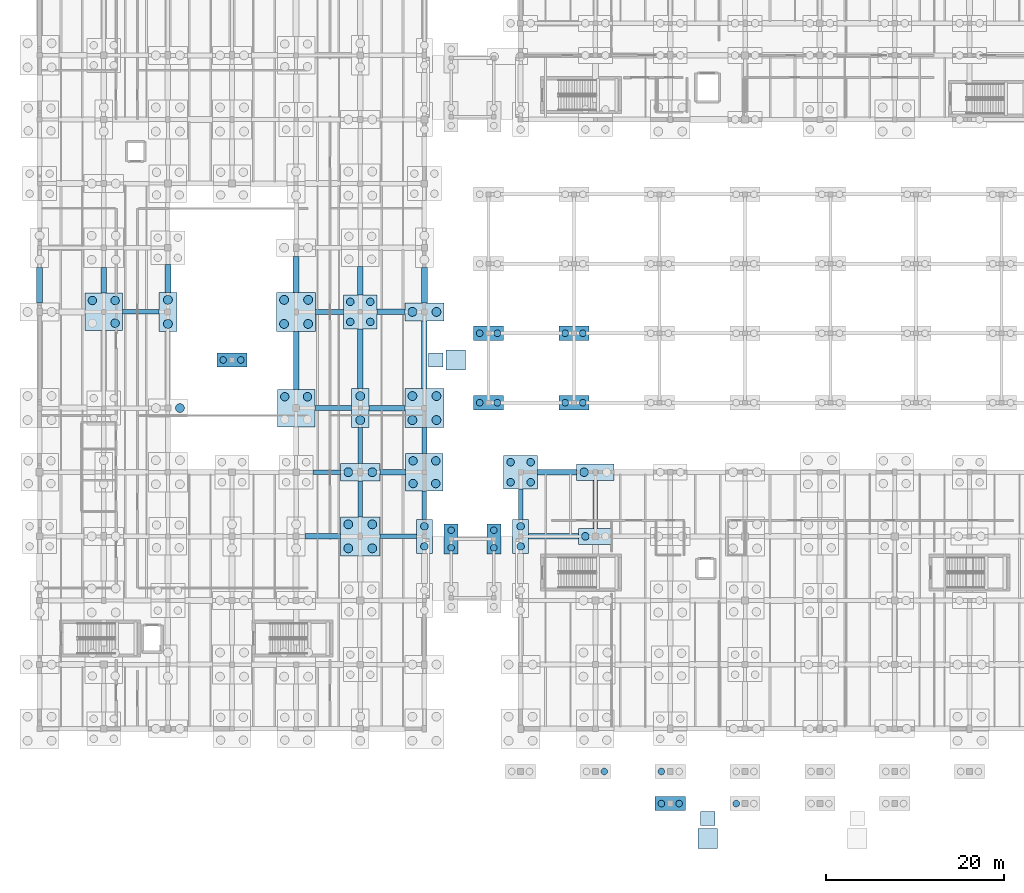
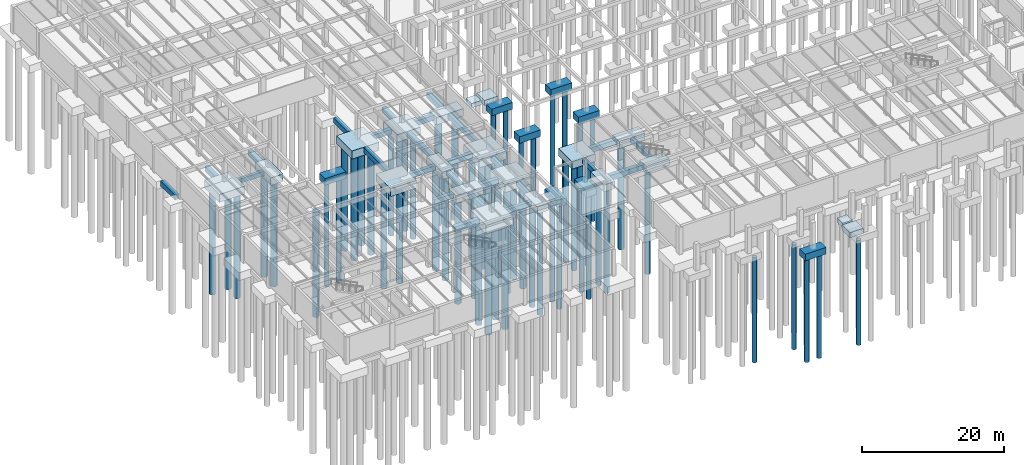
# One storey, part 3 of 63: 63 piles, 54 footings.
"""IFC4 building model written with IfcOpenShell, lengths in metres."""

from ifc_helpers import new_model, si_unit, direction, frame, origin, origin_2d, place, context, subcontext, project, spatial, rectangle, circle, extrude, material, material_profile, profile_set, type_object, element, save


model = new_model("IFC4")

# Units and contexts
model_context = context("Model", 3, precision=1e-05, world=origin(), true_north=direction((0.0, 1.0)))
body_context = subcontext(model_context, "Body", "Model", "MODEL_VIEW")
ifc_project = project(units=[si_unit("LENGTHUNIT", "METRE"), si_unit("AREAUNIT", "SQUARE_METRE"), si_unit("VOLUMEUNIT", "CUBIC_METRE"), si_unit("PLANEANGLEUNIT", "RADIAN"), si_unit("MASSUNIT", "GRAM", prefix="KILO")], contexts=[model_context])

# Site, building, storey
site_placement = place(None, origin())
site = spatial("IfcSite", under=ifc_project, at=site_placement, CompositionType="ELEMENT")
building_placement = place(site_placement, origin())
building = spatial("IfcBuilding", under=site, at=building_placement, Name="Mazaris Harbour Polytechnic", CompositionType="ELEMENT")
storey_placement = place(building_placement, frame((0.0, 0.0, -4.5)))
storey = spatial("IfcBuildingStorey", under=building, at=storey_placement, Name="B1", CompositionType="ELEMENT", Elevation=-4.5)

# Piles
ifc_material_1 = material(Name="Concrete C35/45", Category="concrete")
ifc_material_profile_1 = material_profile(ifc_material_1, circle(Radius=0.5, at=origin_2d()), Name="DIA1000")
ifc_profile_set_1 = profile_set([ifc_material_profile_1], Name="Concrete C35/45")
pile_type_1 = type_object("IfcPileType", Name="Bored Pile 1000", PredefinedType="BORED", material=ifc_profile_set_1)
for number, where, z_axis, x_axis, name in (
    (1, (15.75, 43.199951171875, -1.6201171875), (0.0, 0.0, -1.0), (1.0, 0.0, 0.0), "Bored Pile BP-183-2"),
    (2, (14.39990234375, 52.64990234375, -1.6201171875), (0.0, 0.0, -1.0), (1.0, 0.0, 0.0), "Bored Pile BP-184-1"),
    (3, (14.39990234375, 55.35009765625, -1.6201171875), (0.0, 0.0, -1.0), (1.0, 0.0, 0.0), "Bored Pile BP-184-2"),
    (4, (27.449951171875, 52.64990234375, -1.719970703125), (0.0, 0.0, -1.0), (1.0, 0.0, 0.0), "Bored Pile BP-207-1"),
    (5, (30.14990234375, 52.64990234375, -1.719970703125), (0.0, 0.0, -1.0), (1.0, 0.0, 0.0), "Bored Pile BP-207-2"),
    (6, (27.449951171875, 55.35009765625, -1.719970703125), (0.0, 0.0, -1.0), (1.0, 0.0, 0.0), "Bored Pile BP-207-3"),
    (7, (30.14990234375, 55.35009765625, -1.719970703125), (0.0, 0.0, -1.0), (1.0, 0.0, 0.0), "Bored Pile BP-207-4"),
    (8, (34.64990234375, 27.449951171875, -1.719970703125), (0.0, 0.0, -1.0), (1.0, 0.0, 0.0), "Bored Pile BP-217-1"),
    (9, (37.35009765625, 27.449951171875, -1.719970703125), (0.0, 0.0, -1.0), (1.0, 0.0, 0.0), "Bored Pile BP-217-2"),
    (10, (34.64990234375, 30.14990234375, -1.719970703125), (0.0, 0.0, -1.0), (1.0, 0.0, 0.0), "Bored Pile BP-217-3"),
    (11, (37.35009765625, 30.14990234375, -1.719970703125), (0.0, 0.0, -1.0), (1.0, 0.0, 0.0), "Bored Pile BP-217-4"),
    (12, (34.64990234375, 36.0, -1.6201171875), (0.0, 0.0, -1.0), (1.0, 0.0, 0.0), "Bored Pile BP-218-1"),
    (13, (37.35009765625, 36.0, -1.6201171875), (0.0, 0.0, -1.0), (1.0, 0.0, 0.0), "Bored Pile BP-218-2"),
    (14, (36.0, 41.85009765625, -1.6201171875), (0.0, 0.0, -1.0), (1.0, 0.0, 0.0), "Bored Pile BP-219-1"),
    (15, (36.0, 44.550048828125, -1.6201171875), (0.0, 0.0, -1.0), (1.0, 0.0, 0.0), "Bored Pile BP-219-2"),
    (16, (41.85009765625, 41.85009765625, -1.719970703125), (0.0, 0.0, -1.0), (1.0, 0.0, 0.0), "Bored Pile BP-232-1"),
    (17, (44.550048828125, 41.85009765625, -1.719970703125), (0.0, 0.0, -1.0), (1.0, 0.0, 0.0), "Bored Pile BP-232-2"),
    (18, (41.85009765625, 44.550048828125, -1.719970703125), (0.0, 0.0, -1.0), (1.0, 0.0, 0.0), "Bored Pile BP-232-3"),
    (19, (44.550048828125, 44.550048828125, -1.719970703125), (0.0, 0.0, -1.0), (1.0, 0.0, 0.0), "Bored Pile BP-232-4"),
    (20, (41.85009765625, 54.0, -1.6201171875), (0.0, 0.0, -1.0), (1.0, 0.0, 0.0), "Bored Pile BP-233-1"),
    (21, (44.550048828125, 54.0, -1.6201171875), (0.0, 0.0, -1.0), (1.0, 0.0, 0.0), "Bored Pile BP-233-2"),
):
    element("IfcPile", number, at=place(storey_placement, frame(where, z_axis=z_axis, x_axis=x_axis)), inside=storey, type_object=pile_type_1, Name=name, PredefinedType="BORED", context=body_context, shape_type="SweptSolid", body=[
        extrude(circle(Radius=0.5, at=origin_2d()), origin(), (0.0, 0.0, 1.0), 18.0),
    ])
ifc_material_2 = material(Name="Concrete C35/45", Category="concrete")
ifc_material_profile_2 = material_profile(ifc_material_2, circle(Radius=0.375, at=origin_2d()), Name="DIA750")
ifc_profile_set_2 = profile_set([ifc_material_profile_2], Name="Concrete C35/45")
pile_type_2 = type_object("IfcPileType", Name="Bored Pile 750", PredefinedType="BORED", material=ifc_profile_set_2)
for number, where, z_axis, x_axis, name in (
    (22, (46.199951171875, 27.506103515625, -1.429931640625), (0.0, 0.0, -1.0), (1.0, 0.0, 0.0), "Bored Pile BP-315-1"),
    (23, (46.199951171875, 29.493896484375, -1.429931640625), (0.0, 0.0, -1.0), (1.0, 0.0, 0.0), "Bored Pile BP-315-2"),
    (24, (51.0, 27.506103515625, -1.429931640625), (0.0, 0.0, -1.0), (1.0, 0.0, 0.0), "Bored Pile BP-317-1"),
    (25, (51.0, 29.493896484375, -1.429931640625), (0.0, 0.0, -1.0), (1.0, 0.0, 0.0), "Bored Pile BP-317-2"),
    (26, (63.393798828125, 2.39990234375, -1.429931640625), (0.0, 0.0, -1.0), (1.0, 0.0, 0.0), "Bored Pile BP-329-2"),
    (27, (69.80615234375, 2.39990234375, -1.429931640625), (0.0, 0.0, -1.0), (1.0, 0.0, 0.0), "Bored Pile BP-330-1"),
    (28, (69.80615234375, -1.199951171875, -1.429931640625), (0.0, 0.0, -1.0), (1.0, 0.0, 0.0), "Bored Pile BP-336-1"),
    (29, (71.793701171875, -1.199951171875, -1.429931640625), (0.0, 0.0, -1.0), (1.0, 0.0, 0.0), "Bored Pile BP-336-2"),
    (30, (78.206298828125, -1.199951171875, -1.429931640625), (0.0, 0.0, -1.0), (1.0, 0.0, 0.0), "Bored Pile BP-337-1"),
    (31, (49.40625, 43.800048828125, -1.429931640625), (0.0, 0.0, -1.0), (1.0, 0.0, 0.0), "Bored Pile BP-340-1"),
    (32, (51.393798828125, 43.800048828125, -1.429931640625), (0.0, 0.0, -1.0), (1.0, 0.0, 0.0), "Bored Pile BP-340-2"),
    (33, (49.40625, 51.60009765625, -1.429931640625), (0.0, 0.0, -1.0), (1.0, 0.0, 0.0), "Bored Pile BP-341-1"),
    (34, (51.393798828125, 51.60009765625, -1.429931640625), (0.0, 0.0, -1.0), (1.0, 0.0, 0.0), "Bored Pile BP-341-2"),
    (35, (59.006103515625, 43.800048828125, -1.429931640625), (0.0, 0.0, -1.0), (1.0, 0.0, 0.0), "Bored Pile BP-344-1"),
    (36, (60.993896484375, 43.800048828125, -1.429931640625), (0.0, 0.0, -1.0), (1.0, 0.0, 0.0), "Bored Pile BP-344-2"),
    (37, (59.006103515625, 51.60009765625, -1.429931640625), (0.0, 0.0, -1.0), (1.0, 0.0, 0.0), "Bored Pile BP-345-1"),
    (38, (60.993896484375, 51.60009765625, -1.429931640625), (0.0, 0.0, -1.0), (1.0, 0.0, 0.0), "Bored Pile BP-345-2"),
    (39, (20.606201171875, 48.60009765625, -1.429931640625), (0.0, 0.0, -1.0), (1.0, 0.0, 0.0), "Bored Pile BP-372-1"),
    (40, (22.59375, 48.60009765625, -1.429931640625), (0.0, 0.0, -1.0), (1.0, 0.0, 0.0), "Bored Pile BP-372-2"),
):
    element("IfcPile", number, at=place(storey_placement, frame(where, z_axis=z_axis, x_axis=x_axis)), inside=storey, type_object=pile_type_2, Name=name, PredefinedType="BORED", context=body_context, shape_type="SweptSolid", body=[
        extrude(circle(Radius=0.375, at=origin_2d()), origin(), (0.0, 0.0, 1.0), 18.0),
    ])
ifc_material_3 = material(Name="Concrete C35/45", Category="concrete")
ifc_material_profile_3 = material_profile(ifc_material_3, circle(Radius=0.425048828125, at=origin_2d()), Name="DIA850")
ifc_profile_set_3 = profile_set([ifc_material_profile_3], Name="Concrete C35/45")
pile_type_3 = type_object("IfcPileType", Name="Bored Pile 850", PredefinedType="BORED", material=ifc_profile_set_3)
for number, where, z_axis, x_axis, name in (
    (41, (54.0, 27.673828125, -1.52001953125), (0.0, 0.0, -1.0), (1.0, 0.0, 0.0), "Bored Pile BP-115-1"),
    (42, (54.0, 29.92626953125, -1.52001953125), (0.0, 0.0, -1.0), (1.0, 0.0, 0.0), "Bored Pile BP-115-2"),
    (43, (52.873779296875, 34.873779296875, -1.6201171875), (0.0, 0.0, -1.0), (1.0, 0.0, 0.0), "Bored Pile BP-116-1"),
    (44, (55.126220703125, 34.873779296875, -1.6201171875), (0.0, 0.0, -1.0), (1.0, 0.0, 0.0), "Bored Pile BP-116-2"),
    (45, (52.873779296875, 37.126220703125, -1.6201171875), (0.0, 0.0, -1.0), (1.0, 0.0, 0.0), "Bored Pile BP-116-3"),
    (46, (55.126220703125, 37.126220703125, -1.6201171875), (0.0, 0.0, -1.0), (1.0, 0.0, 0.0), "Bored Pile BP-116-4"),
    (47, (61.273681640625, 28.800048828125, -1.52001953125), (0.0, 0.0, -1.0), (1.0, 0.0, 0.0), "Bored Pile BP-120-1"),
    (48, (34.873779296875, 52.873779296875, -1.6201171875), (0.0, 0.0, -1.0), (1.0, 0.0, 0.0), "Bored Pile BP-220-1"),
    (49, (37.126220703125, 52.873779296875, -1.6201171875), (0.0, 0.0, -1.0), (1.0, 0.0, 0.0), "Bored Pile BP-220-2"),
    (50, (34.873779296875, 55.126220703125, -1.6201171875), (0.0, 0.0, -1.0), (1.0, 0.0, 0.0), "Bored Pile BP-220-3"),
    (51, (37.126220703125, 55.126220703125, -1.6201171875), (0.0, 0.0, -1.0), (1.0, 0.0, 0.0), "Bored Pile BP-220-4"),
    (52, (43.199951171875, 27.673828125, -1.52001953125), (0.0, 0.0, -1.0), (1.0, 0.0, 0.0), "Bored Pile BP-230-1"),
    (53, (43.199951171875, 29.92626953125, -1.52001953125), (0.0, 0.0, -1.0), (1.0, 0.0, 0.0), "Bored Pile BP-230-2"),
):
    element("IfcPile", number, at=place(storey_placement, frame(where, z_axis=z_axis, x_axis=x_axis)), inside=storey, type_object=pile_type_3, Name=name, PredefinedType="BORED", context=body_context, shape_type="SweptSolid", body=[
        extrude(circle(Radius=0.425048828125, at=origin_2d()), origin(), (0.0, 0.0, 1.0), 18.0),
    ])
ifc_material_4 = material(Name="Concrete C35/45", Category="concrete")
ifc_material_profile_4 = material_profile(ifc_material_4, circle(Radius=0.47509765625, at=origin_2d()), Name="DIA950")
ifc_profile_set_4 = profile_set([ifc_material_profile_4], Name="Concrete C35/45")
pile_type_4 = type_object("IfcPileType", Name="Bored Pile 950", PredefinedType="BORED", material=ifc_profile_set_4)
for number, where, z_axis, x_axis, name in (
    (54, (61.125, 36.0, -1.570068359375), (0.0, 0.0, -1.0), (1.0, 0.0, 0.0), "Bored Pile BP-121-1"),
    (55, (8.47509765625, 52.72509765625, -1.669921875), (0.0, 0.0, -1.0), (1.0, 0.0, 0.0), "Bored Pile BP-171-2"),
    (56, (5.925048828125, 55.27490234375, -1.669921875), (0.0, 0.0, -1.0), (1.0, 0.0, 0.0), "Bored Pile BP-171-3"),
    (57, (8.47509765625, 55.27490234375, -1.669921875), (0.0, 0.0, -1.0), (1.0, 0.0, 0.0), "Bored Pile BP-171-4"),
    (58, (27.52490234375, 44.47509765625, -1.669921875), (0.0, 0.0, -1.0), (1.0, 0.0, 0.0), "Bored Pile BP-206-3"),
    (59, (30.074951171875, 44.47509765625, -1.669921875), (0.0, 0.0, -1.0), (1.0, 0.0, 0.0), "Bored Pile BP-206-4"),
    (60, (41.925048828125, 34.72509765625, -1.669921875), (0.0, 0.0, -1.0), (1.0, 0.0, 0.0), "Bored Pile BP-231-1"),
    (61, (44.47509765625, 34.72509765625, -1.669921875), (0.0, 0.0, -1.0), (1.0, 0.0, 0.0), "Bored Pile BP-231-2"),
    (62, (41.925048828125, 37.27490234375, -1.669921875), (0.0, 0.0, -1.0), (1.0, 0.0, 0.0), "Bored Pile BP-231-3"),
    (63, (44.47509765625, 37.27490234375, -1.669921875), (0.0, 0.0, -1.0), (1.0, 0.0, 0.0), "Bored Pile BP-231-4"),
):
    element("IfcPile", number, at=place(storey_placement, frame(where, z_axis=z_axis, x_axis=x_axis)), inside=storey, type_object=pile_type_4, Name=name, PredefinedType="BORED", context=body_context, shape_type="SweptSolid", body=[
        extrude(circle(Radius=0.47509765625, at=origin_2d()), origin(), (0.0, 0.0, 1.0), 18.0),
    ])

# Footings
ifc_material_5 = material(Name="Concrete C35/45", Category="concrete")
footing_type_1 = type_object("IfcFootingType", Name="Pad Footing 1600x1600x750", PredefinedType="PAD_FOOTING", material=ifc_material_5)
for number, where, z_axis, x_axis, name in (
    (64, (75.0, -2.8701171875, 3.405029296875), (0.0, 0.0, 1.0), (1.0, 0.0, 0.0), "RAMP-01 Top Landing Footing"),
    (65, (44.469970703125, 48.60009765625, 3.405029296875), (0.0, 0.0, 1.0), (1.0, 0.0, 0.0), "RAMP-03 Top Landing Footing"),
):
    element("IfcFooting", number, at=place(storey_placement, frame(where, z_axis=z_axis, x_axis=x_axis)), inside=storey, type_object=footing_type_1, Name=name, PredefinedType="PAD_FOOTING", context=body_context, shape_type="SweptSolid", body=[
        extrude(rectangle(XDim=1.60009765625, YDim=1.60009765625, at=origin_2d()), origin(), (0.0, 0.0, 1.0), 0.75),
    ])
ifc_material_6 = material(Name="Concrete C35/45", Category="concrete")
footing_type_2 = type_object("IfcFootingType", Name="Pad Footing 2200x2200x900", PredefinedType="PAD_FOOTING", material=ifc_material_6)
for number, where, z_axis, x_axis, name in (
    (66, (75.0, -5.1201171875, 3.300048828125), (0.0, 0.0, 1.0), (1.0, 0.0, 0.0), "RAMP-01 Bottom Landing Footing"),
    (67, (46.719970703125, 48.60009765625, 3.300048828125), (0.0, 0.0, 1.0), (1.0, 0.0, 0.0), "RAMP-03 Bottom Landing Footing"),
):
    element("IfcFooting", number, at=place(storey_placement, frame(where, z_axis=z_axis, x_axis=x_axis)), inside=storey, type_object=footing_type_2, Name=name, PredefinedType="PAD_FOOTING", context=body_context, shape_type="SweptSolid", body=[
        extrude(rectangle(XDim=2.199951171875, YDim=2.199951171875, at=origin_2d()), origin(), (0.0, 0.0, 1.0), 0.89990234375),
    ])
ifc_material_7 = material(Name="Concrete C35/45", Category="concrete")
footing_type_3 = type_object("IfcFootingType", Name="Pile Cap 1600x3400x1150", PredefinedType="PILE_CAP", material=ifc_material_7)
for number, where, z_axis, x_axis, name in (
    (68, (46.199951171875, 28.5, -1.530029296875), (0.0, 0.0, 1.0), (1.0, 0.0, 0.0), "Pile Cap CAP-315"),
    (69, (51.0, 28.5, -1.530029296875), (0.0, 0.0, 1.0), (1.0, 0.0, 0.0), "Pile Cap CAP-317"),
):
    element("IfcFooting", number, at=place(storey_placement, frame(where, z_axis=z_axis, x_axis=x_axis)), inside=storey, type_object=footing_type_3, Name=name, PredefinedType="PILE_CAP", context=body_context, shape_type="SweptSolid", body=[
        extrude(rectangle(XDim=1.60009765625, YDim=3.39990234375, at=origin_2d()), origin(), (0.0, 0.0, 1.0), 1.14990234375),
    ])
ifc_material_8 = material(Name="Concrete C35/45", Category="concrete")
footing_type_4 = type_object("IfcFootingType", Name="Pile Cap 1800x3800x1200", PredefinedType="PILE_CAP", material=ifc_material_8)
for number, where, z_axis, x_axis, name in (
    (70, (54.0, 28.800048828125, -1.6201171875), (0.0, 0.0, 1.0), (1.0, 0.0, 0.0), "Pile Cap CAP-115"),
    (71, (43.199951171875, 28.800048828125, -1.6201171875), (0.0, 0.0, 1.0), (1.0, 0.0, 0.0), "Pile Cap CAP-230"),
):
    element("IfcFooting", number, at=place(storey_placement, frame(where, z_axis=z_axis, x_axis=x_axis)), inside=storey, type_object=footing_type_4, Name=name, PredefinedType="PILE_CAP", context=body_context, shape_type="SweptSolid", body=[
        extrude(rectangle(XDim=1.800048828125, YDim=3.800048828125, at=origin_2d()), origin(), (0.0, 0.0, 1.0), 1.199951171875),
    ])
ifc_material_9 = material(Name="Concrete C35/45", Category="concrete")
footing_type_5 = type_object("IfcFootingType", Name="Pile Cap 2000x4400x1300", PredefinedType="PILE_CAP", material=ifc_material_9)
for number, where, z_axis, x_axis, name in (
    (72, (14.39990234375, 54.0, -1.72021484375), (0.0, 0.0, 1.0), (1.0, 0.0, 0.0), "Pile Cap CAP-184"),
    (73, (36.0, 43.199951171875, -1.72021484375), (0.0, 0.0, 1.0), (1.0, 0.0, 0.0), "Pile Cap CAP-219"),
):
    element("IfcFooting", number, at=place(storey_placement, frame(where, z_axis=z_axis, x_axis=x_axis)), inside=storey, type_object=footing_type_5, Name=name, PredefinedType="PILE_CAP", context=body_context, shape_type="SweptSolid", body=[
        extrude(rectangle(XDim=2.0, YDim=4.39990234375, at=origin_2d()), origin(), (0.0, 0.0, 1.0), 1.300048828125),
    ])
ifc_material_10 = material(Name="Concrete C35/45", Category="concrete")
footing_type_6 = type_object("IfcFootingType", Name="Pile Cap 3400x1600x1150", PredefinedType="PILE_CAP", material=ifc_material_10)
for number, where, z_axis, x_axis, name in (
    (74, (70.800048828125, -1.199951171875, -1.530029296875), (0.0, 0.0, 1.0), (1.0, 0.0, 0.0), "Pile Cap CAP-336"),
    (75, (50.39990234375, 43.800048828125, -1.530029296875), (0.0, 0.0, 1.0), (1.0, 0.0, 0.0), "Pile Cap CAP-340"),
    (76, (50.39990234375, 51.60009765625, -1.530029296875), (0.0, 0.0, 1.0), (1.0, 0.0, 0.0), "Pile Cap CAP-341"),
    (77, (60.0, 43.800048828125, -1.530029296875), (0.0, 0.0, 1.0), (1.0, 0.0, 0.0), "Pile Cap CAP-344"),
    (78, (60.0, 51.60009765625, -1.530029296875), (0.0, 0.0, 1.0), (1.0, 0.0, 0.0), "Pile Cap CAP-345"),
    (79, (21.60009765625, 48.60009765625, -1.530029296875), (0.0, 0.0, 1.0), (1.0, 0.0, 0.0), "Pile Cap CAP-372"),
):
    element("IfcFooting", number, at=place(storey_placement, frame(where, z_axis=z_axis, x_axis=x_axis)), inside=storey, type_object=footing_type_6, Name=name, PredefinedType="PILE_CAP", context=body_context, shape_type="SweptSolid", body=[
        extrude(rectangle(XDim=3.39990234375, YDim=1.60009765625, at=origin_2d()), origin(), (0.0, 0.0, 1.0), 1.14990234375),
    ])
ifc_material_11 = material(Name="Concrete C35/45", Category="concrete")
footing_type_7 = type_object("IfcFootingType", Name="Pile Cap 3800x1800x1200", PredefinedType="PILE_CAP", material=ifc_material_11)
footing_1_placement = place(storey_placement, frame((62.39990234375, 28.800048828125, -1.6201171875), z_axis=(0.0, 0.0, 1.0), x_axis=(1.0, 0.0, 0.0)))
element("IfcFooting", 80, at=footing_1_placement, inside=storey, type_object=footing_type_7, Name="Pile Cap CAP-120", PredefinedType="PILE_CAP", context=body_context, shape_type="SweptSolid", body=[
    extrude(rectangle(XDim=3.800048828125, YDim=1.800048828125, at=origin_2d()), origin(), (0.0, 0.0, 1.0), 1.199951171875),
])
ifc_material_12 = material(Name="Concrete C35/45", Category="concrete")
footing_type_8 = type_object("IfcFootingType", Name="Pile Cap 3800x3800x1300", PredefinedType="PILE_CAP", material=ifc_material_12)
for number, where, z_axis, x_axis, name in (
    (81, (54.0, 36.0, -1.72021484375), (0.0, 0.0, 1.0), (1.0, 0.0, 0.0), "Pile Cap CAP-116"),
    (82, (36.0, 54.0, -1.72021484375), (0.0, 0.0, 1.0), (1.0, 0.0, 0.0), "Pile Cap CAP-220"),
):
    element("IfcFooting", number, at=place(storey_placement, frame(where, z_axis=z_axis, x_axis=x_axis)), inside=storey, type_object=footing_type_8, Name=name, PredefinedType="PILE_CAP", context=body_context, shape_type="SweptSolid", body=[
        extrude(rectangle(XDim=3.800048828125, YDim=3.800048828125, at=origin_2d()), origin(), (0.0, 0.0, 1.0), 1.300048828125),
    ])
ifc_material_13 = material(Name="Concrete C35/45", Category="concrete")
footing_type_9 = type_object("IfcFootingType", Name="Pile Cap 4200x1900x1250", PredefinedType="PILE_CAP", material=ifc_material_13)
footing_2_placement = place(storey_placement, frame((62.39990234375, 36.0, -1.669921875), z_axis=(0.0, 0.0, 1.0), x_axis=(1.0, 0.0, 0.0)))
element("IfcFooting", 83, at=footing_2_placement, inside=storey, type_object=footing_type_9, Name="Pile Cap CAP-121", PredefinedType="PILE_CAP", context=body_context, shape_type="SweptSolid", body=[
    extrude(rectangle(XDim=4.199951171875, YDim=1.89990234375, at=origin_2d()), origin(), (0.0, 0.0, 1.0), 1.25),
])
ifc_material_14 = material(Name="Concrete C35/45", Category="concrete")
footing_type_10 = type_object("IfcFootingType", Name="Pile Cap 4200x4200x1350", PredefinedType="PILE_CAP", material=ifc_material_14)
for number, where, z_axis, x_axis, name in (
    (84, (7.199951171875, 54.0, -1.77001953125), (0.0, 0.0, 1.0), (1.0, 0.0, 0.0), "Pile Cap CAP-171"),
    (85, (28.800048828125, 43.199951171875, -1.77001953125), (0.0, 0.0, 1.0), (1.0, 0.0, 0.0), "Pile Cap CAP-206"),
    (86, (43.199951171875, 36.0, -1.77001953125), (0.0, 0.0, 1.0), (1.0, 0.0, 0.0), "Pile Cap CAP-231"),
):
    element("IfcFooting", number, at=place(storey_placement, frame(where, z_axis=z_axis, x_axis=x_axis)), inside=storey, type_object=footing_type_10, Name=name, PredefinedType="PILE_CAP", context=body_context, shape_type="SweptSolid", body=[
        extrude(rectangle(XDim=4.199951171875, YDim=4.199951171875, at=origin_2d()), origin(), (0.0, 0.0, 1.0), 1.35009765625),
    ])
ifc_material_15 = material(Name="Concrete C35/45", Category="concrete")
footing_type_11 = type_object("IfcFootingType", Name="Pile Cap 4400x2000x1300", PredefinedType="PILE_CAP", material=ifc_material_15)
for number, where, z_axis, x_axis, name in (
    (87, (36.0, 36.0, -1.72021484375), (0.0, 0.0, 1.0), (1.0, 0.0, 0.0), "Pile Cap CAP-218"),
    (88, (43.199951171875, 54.0, -1.72021484375), (0.0, 0.0, 1.0), (1.0, 0.0, 0.0), "Pile Cap CAP-233"),
):
    element("IfcFooting", number, at=place(storey_placement, frame(where, z_axis=z_axis, x_axis=x_axis)), inside=storey, type_object=footing_type_11, Name=name, PredefinedType="PILE_CAP", context=body_context, shape_type="SweptSolid", body=[
        extrude(rectangle(XDim=4.39990234375, YDim=2.0, at=origin_2d()), origin(), (0.0, 0.0, 1.0), 1.300048828125),
    ])
ifc_material_16 = material(Name="Concrete C35/45", Category="concrete")
footing_type_12 = type_object("IfcFootingType", Name="Pile Cap 4400x4400x1400", PredefinedType="PILE_CAP", material=ifc_material_16)
for number, where, z_axis, x_axis, name in (
    (89, (28.800048828125, 54.0, -1.820068359375), (0.0, 0.0, 1.0), (1.0, 0.0, 0.0), "Pile Cap CAP-207"),
    (90, (36.0, 28.800048828125, -1.820068359375), (0.0, 0.0, 1.0), (1.0, 0.0, 0.0), "Pile Cap CAP-217"),
    (91, (43.199951171875, 43.199951171875, -1.820068359375), (0.0, 0.0, 1.0), (1.0, 0.0, 0.0), "Pile Cap CAP-232"),
):
    element("IfcFooting", number, at=place(storey_placement, frame(where, z_axis=z_axis, x_axis=x_axis)), inside=storey, type_object=footing_type_12, Name=name, PredefinedType="PILE_CAP", context=body_context, shape_type="SweptSolid", body=[
        extrude(rectangle(XDim=4.39990234375, YDim=4.39990234375, at=origin_2d()), origin(), (0.0, 0.0, 1.0), 1.39990234375),
    ])
ifc_material_17 = material(Name="Concrete C35/45", Category="concrete")
ifc_material_profile_5 = material_profile(ifc_material_17, rectangle(XDim=0.5, YDim=0.75, at=origin_2d()), Name="RECT500x750")
ifc_profile_set_5 = profile_set([ifc_material_profile_5], Name="Concrete C35/45")
footing_type_13 = type_object("IfcFootingType", Name="Seismic Tie Beam 500x750", PredefinedType="FOOTING_BEAM", material=ifc_profile_set_5)
footing_3_placement = place(storey_placement, frame((54.0, 30.699951171875, -0.8349609375), z_axis=(0.0, 1.0, 0.0), x_axis=(-1.0, 0.0, 0.0)))
element("IfcFooting", 92, at=footing_3_placement, inside=storey, type_object=footing_type_13, Name="Seismic Tie Beam FTB-224", PredefinedType="FOOTING_BEAM", context=body_context, shape_type="SweptSolid", body=[
    extrude(rectangle(XDim=0.5, YDim=0.75, at=origin_2d()), origin(), (0.0, 0.0, 1.0), 3.400146484375),
])
footing_4_placement = place(storey_placement, frame((62.39990234375, 29.699951171875, -0.8349609375), z_axis=(0.0, 1.0, 0.0), x_axis=(-1.0, 0.0, 0.0)))
element("IfcFooting", 93, at=footing_4_placement, inside=storey, type_object=footing_type_13, Name="Seismic Tie Beam FTB-228", PredefinedType="FOOTING_BEAM", context=body_context, shape_type="SweptSolid", body=[
    extrude(rectangle(XDim=0.5, YDim=0.75, at=origin_2d()), origin(), (0.0, 0.0, 1.0), 5.35009765625),
])
footing_5_placement = place(storey_placement, frame((38.199951171875, 28.800048828125, -0.8349609375), z_axis=(1.0, 0.0, 0.0), x_axis=(0.0, 1.0, 0.0)))
element("IfcFooting", 94, at=footing_5_placement, inside=storey, type_object=footing_type_13, Name="Seismic Tie Beam FTB-276", PredefinedType="FOOTING_BEAM", context=body_context, shape_type="SweptSolid", body=[
    extrude(rectangle(XDim=0.5, YDim=0.75, at=origin_2d()), origin(), (0.0, 0.0, 1.0), 4.10009765625),
])
footing_6_placement = place(storey_placement, frame((9.300048828125, 54.0, -0.8349609375), z_axis=(1.0, 0.0, 0.0), x_axis=(0.0, 1.0, 0.0)))
element("IfcFooting", 95, at=footing_6_placement, inside=storey, type_object=footing_type_13, Name="Seismic Tie Beam FTB-288", PredefinedType="FOOTING_BEAM", context=body_context, shape_type="SweptSolid", body=[
    extrude(rectangle(XDim=0.5, YDim=0.75, at=origin_2d()), origin(), (0.0, 0.0, 1.0), 4.099853515625),
])
footing_7_placement = place(storey_placement, frame((36.0, 31.0, -0.8349609375), z_axis=(0.0, 1.0, 0.0), x_axis=(-1.0, 0.0, 0.0)))
element("IfcFooting", 96, at=footing_7_placement, inside=storey, type_object=footing_type_13, Name="Seismic Tie Beam FTB-384", PredefinedType="FOOTING_BEAM", context=body_context, shape_type="SweptSolid", body=[
    extrude(rectangle(XDim=0.5, YDim=0.75, at=origin_2d()), origin(), (0.0, 0.0, 1.0), 4.0),
])
footing_8_placement = place(storey_placement, frame((43.199951171875, 30.699951171875, -0.8349609375), z_axis=(0.0, 1.0, 0.0), x_axis=(-1.0, 0.0, 0.0)))
element("IfcFooting", 97, at=footing_8_placement, inside=storey, type_object=footing_type_13, Name="Seismic Tie Beam FTB-396", PredefinedType="FOOTING_BEAM", context=body_context, shape_type="SweptSolid", body=[
    extrude(rectangle(XDim=0.5, YDim=0.75, at=origin_2d()), origin(), (0.0, 0.0, 1.0), 3.199951171875),
])
ifc_material_18 = material(Name="Concrete C35/45", Category="concrete")
ifc_material_profile_6 = material_profile(ifc_material_18, rectangle(XDim=0.550048828125, YDim=0.800048828125, at=origin_2d()), Name="RECT550x800")
ifc_profile_set_6 = profile_set([ifc_material_profile_6], Name="Concrete C35/45")
footing_type_14 = type_object("IfcFootingType", Name="Seismic Tie Beam 550x800", PredefinedType="FOOTING_BEAM", material=ifc_profile_set_6)
footing_9_placement = place(storey_placement, frame((30.699951171875, 36.0, -0.860107421875), z_axis=(1.0, 0.0, 0.0), x_axis=(0.0, 1.0, 0.0)))
element("IfcFooting", 98, at=footing_9_placement, inside=storey, type_object=footing_type_14, Name="Seismic Tie Beam FTB-281", PredefinedType="FOOTING_BEAM", context=body_context, shape_type="SweptSolid", body=[
    extrude(rectangle(XDim=0.550048828125, YDim=0.800048828125, at=origin_2d()), origin(), (0.0, 0.0, 1.0), 3.10009765625),
])
footing_10_placement = place(storey_placement, frame((30.89990234375, 43.199951171875, -0.860107421875), z_axis=(1.0, 0.0, 0.0), x_axis=(0.0, 1.0, 0.0)))
element("IfcFooting", 99, at=footing_10_placement, inside=storey, type_object=footing_type_14, Name="Seismic Tie Beam FTB-285", PredefinedType="FOOTING_BEAM", context=body_context, shape_type="SweptSolid", body=[
    extrude(rectangle(XDim=0.550048828125, YDim=0.800048828125, at=origin_2d()), origin(), (0.0, 0.0, 1.0), 4.10009765625),
])
footing_11_placement = place(storey_placement, frame((31.0, 54.0, -0.860107421875), z_axis=(1.0, 0.0, 0.0), x_axis=(0.0, 1.0, 0.0)))
element("IfcFooting", 100, at=footing_11_placement, inside=storey, type_object=footing_type_14, Name="Seismic Tie Beam FTB-289", PredefinedType="FOOTING_BEAM", context=body_context, shape_type="SweptSolid", body=[
    extrude(rectangle(XDim=0.550048828125, YDim=0.800048828125, at=origin_2d()), origin(), (0.0, 0.0, 1.0), 3.10009765625),
])
footing_12_placement = place(storey_placement, frame((36.0, 37.0, -0.860107421875), z_axis=(0.0, 1.0, 0.0), x_axis=(-1.0, 0.0, 0.0)))
element("IfcFooting", 101, at=footing_12_placement, inside=storey, type_object=footing_type_14, Name="Seismic Tie Beam FTB-385", PredefinedType="FOOTING_BEAM", context=body_context, shape_type="SweptSolid", body=[
    extrude(rectangle(XDim=0.550048828125, YDim=0.800048828125, at=origin_2d()), origin(), (0.0, 0.0, 1.0), 4.0),
])
footing_13_placement = place(storey_placement, frame((43.199951171875, 38.10009765625, -0.860107421875), z_axis=(0.0, 1.0, 0.0), x_axis=(-1.0, 0.0, 0.0)))
element("IfcFooting", 102, at=footing_13_placement, inside=storey, type_object=footing_type_14, Name="Seismic Tie Beam FTB-397", PredefinedType="FOOTING_BEAM", context=body_context, shape_type="SweptSolid", body=[
    extrude(rectangle(XDim=0.550048828125, YDim=0.800048828125, at=origin_2d()), origin(), (0.0, 0.0, 1.0), 2.89990234375),
])
ifc_material_19 = material(Name="Concrete C35/45", Category="concrete")
ifc_material_profile_7 = material_profile(ifc_material_19, rectangle(XDim=0.60009765625, YDim=0.85009765625, at=origin_2d()), Name="RECT600x850")
ifc_profile_set_7 = profile_set([ifc_material_profile_7], Name="Concrete C35/45")
footing_type_15 = type_object("IfcFootingType", Name="Seismic Tie Beam 600x850", PredefinedType="FOOTING_BEAM", material=ifc_profile_set_7)
footing_14_placement = place(storey_placement, frame((55.89990234375, 36.0, -0.885009765625), z_axis=(1.0, 0.0, 0.0), x_axis=(0.0, 1.0, 0.0)))
element("IfcFooting", 103, at=footing_14_placement, inside=storey, type_object=footing_type_15, Name="Seismic Tie Beam FTB-214", PredefinedType="FOOTING_BEAM", context=body_context, shape_type="SweptSolid", body=[
    extrude(rectangle(XDim=0.60009765625, YDim=0.85009765625, at=origin_2d()), origin(), (0.0, 0.0, 1.0), 4.400146484375),
])
footing_15_placement = place(storey_placement, frame((38.199951171875, 36.0, -0.885009765625), z_axis=(1.0, 0.0, 0.0), x_axis=(0.0, 1.0, 0.0)))
element("IfcFooting", 104, at=footing_15_placement, inside=storey, type_object=footing_type_15, Name="Seismic Tie Beam FTB-282", PredefinedType="FOOTING_BEAM", context=body_context, shape_type="SweptSolid", body=[
    extrude(rectangle(XDim=0.60009765625, YDim=0.85009765625, at=origin_2d()), origin(), (0.0, 0.0, 1.0), 2.900146484375),
])
footing_16_placement = place(storey_placement, frame((37.0, 43.199951171875, -0.885009765625), z_axis=(1.0, 0.0, 0.0), x_axis=(0.0, 1.0, 0.0)))
element("IfcFooting", 105, at=footing_16_placement, inside=storey, type_object=footing_type_15, Name="Seismic Tie Beam FTB-286", PredefinedType="FOOTING_BEAM", context=body_context, shape_type="SweptSolid", body=[
    extrude(rectangle(XDim=0.60009765625, YDim=0.85009765625, at=origin_2d()), origin(), (0.0, 0.0, 1.0), 4.0),
])
footing_17_placement = place(storey_placement, frame((37.89990234375, 54.0, -0.885009765625), z_axis=(1.0, 0.0, 0.0), x_axis=(0.0, 1.0, 0.0)))
element("IfcFooting", 106, at=footing_17_placement, inside=storey, type_object=footing_type_15, Name="Seismic Tie Beam FTB-290", PredefinedType="FOOTING_BEAM", context=body_context, shape_type="SweptSolid", body=[
    extrude(rectangle(XDim=0.60009765625, YDim=0.85009765625, at=origin_2d()), origin(), (0.0, 0.0, 1.0), 3.10009765625),
])
footing_18_placement = place(storey_placement, frame((28.800048828125, 45.300048828125, -0.885009765625), z_axis=(0.0, 1.0, 0.0), x_axis=(-1.0, 0.0, 0.0)))
element("IfcFooting", 107, at=footing_18_placement, inside=storey, type_object=footing_type_15, Name="Seismic Tie Beam FTB-374", PredefinedType="FOOTING_BEAM", context=body_context, shape_type="SweptSolid", body=[
    extrude(rectangle(XDim=0.60009765625, YDim=0.85009765625, at=origin_2d()), origin(), (0.0, 0.0, 1.0), 6.5),
])
footing_19_placement = place(storey_placement, frame((36.0, 45.39990234375, -0.885009765625), z_axis=(0.0, 1.0, 0.0), x_axis=(-1.0, 0.0, 0.0)))
element("IfcFooting", 108, at=footing_19_placement, inside=storey, type_object=footing_type_15, Name="Seismic Tie Beam FTB-386", PredefinedType="FOOTING_BEAM", context=body_context, shape_type="SweptSolid", body=[
    extrude(rectangle(XDim=0.60009765625, YDim=0.85009765625, at=origin_2d()), origin(), (0.0, 0.0, 1.0), 6.7001953125),
])
footing_20_placement = place(storey_placement, frame((43.199951171875, 45.39990234375, -0.885009765625), z_axis=(0.0, 1.0, 0.0), x_axis=(-1.0, 0.0, 0.0)))
element("IfcFooting", 109, at=footing_20_placement, inside=storey, type_object=footing_type_15, Name="Seismic Tie Beam FTB-398", PredefinedType="FOOTING_BEAM", context=body_context, shape_type="SweptSolid", body=[
    extrude(rectangle(XDim=0.60009765625, YDim=0.85009765625, at=origin_2d()), origin(), (0.0, 0.0, 1.0), 7.60009765625),
])
ifc_material_20 = material(Name="Concrete C35/45", Category="concrete")
ifc_material_profile_8 = material_profile(ifc_material_20, rectangle(XDim=0.64990234375, YDim=0.89990234375, at=origin_2d()), Name="RECT650x900")
ifc_profile_set_8 = profile_set([ifc_material_profile_8], Name="Concrete C35/45")
footing_type_16 = type_object("IfcFootingType", Name="Seismic Tie Beam 650x900", PredefinedType="FOOTING_BEAM", material=ifc_profile_set_8)
footing_21_placement = place(storey_placement, frame((54.89990234375, 28.800048828125, -0.909912109375), z_axis=(1.0, 0.0, 0.0), x_axis=(0.0, 1.0, 0.0)))
element("IfcFooting", 110, at=footing_21_placement, inside=storey, type_object=footing_type_16, Name="Seismic Tie Beam FTB-207", PredefinedType="FOOTING_BEAM", context=body_context, shape_type="SweptSolid", body=[
    extrude(rectangle(XDim=0.64990234375, YDim=0.89990234375, at=origin_2d()), origin(), (0.0, 0.0, 1.0), 5.60009765625),
])
for number, where, z_axis, x_axis, name in (
    (111, (29.800048828125, 28.800048828125, -0.909912109375), (1.0, 0.0, 0.0), (0.0, 1.0, 0.0), "Seismic Tie Beam FTB-275"),
    (112, (0.0, 55.0, -0.909912109375), (0.0, 1.0, 0.0), (-1.0, 0.0, 0.0), "Seismic Tie Beam FTB-331"),
):
    element("IfcFooting", number, at=place(storey_placement, frame(where, z_axis=z_axis, x_axis=x_axis)), inside=storey, type_object=footing_type_16, Name=name, PredefinedType="FOOTING_BEAM", context=body_context, shape_type="SweptSolid", body=[
        extrude(rectangle(XDim=0.64990234375, YDim=0.89990234375, at=origin_2d()), origin(), (0.0, 0.0, 1.0), 4.0),
    ])
footing_22_placement = place(storey_placement, frame((7.199951171875, 56.10009765625, -0.909912109375), z_axis=(0.0, 1.0, 0.0), x_axis=(-1.0, 0.0, 0.0)))
element("IfcFooting", 113, at=footing_22_placement, inside=storey, type_object=footing_type_16, Name="Seismic Tie Beam FTB-343", PredefinedType="FOOTING_BEAM", context=body_context, shape_type="SweptSolid", body=[
    extrude(rectangle(XDim=0.64990234375, YDim=0.89990234375, at=origin_2d()), origin(), (0.0, 0.0, 1.0), 2.89990234375),
])
footing_23_placement = place(storey_placement, frame((14.39990234375, 56.199951171875, -0.909912109375), z_axis=(0.0, 1.0, 0.0), x_axis=(-1.0, 0.0, 0.0)))
element("IfcFooting", 114, at=footing_23_placement, inside=storey, type_object=footing_type_16, Name="Seismic Tie Beam FTB-355", PredefinedType="FOOTING_BEAM", context=body_context, shape_type="SweptSolid", body=[
    extrude(rectangle(XDim=0.64990234375, YDim=0.89990234375, at=origin_2d()), origin(), (0.0, 0.0, 1.0), 3.10009765625),
])
footing_24_placement = place(storey_placement, frame((28.800048828125, 56.199951171875, -0.909912109375), z_axis=(0.0, 1.0, 0.0), x_axis=(-1.0, 0.0, 0.0)))
element("IfcFooting", 115, at=footing_24_placement, inside=storey, type_object=footing_type_16, Name="Seismic Tie Beam FTB-375", PredefinedType="FOOTING_BEAM", context=body_context, shape_type="SweptSolid", body=[
    extrude(rectangle(XDim=0.64990234375, YDim=0.89990234375, at=origin_2d()), origin(), (0.0, 0.0, 1.0), 4.0),
])
footing_25_placement = place(storey_placement, frame((36.0, 55.89990234375, -0.909912109375), z_axis=(0.0, 1.0, 0.0), x_axis=(-1.0, 0.0, 0.0)))
element("IfcFooting", 116, at=footing_25_placement, inside=storey, type_object=footing_type_16, Name="Seismic Tie Beam FTB-387", PredefinedType="FOOTING_BEAM", context=body_context, shape_type="SweptSolid", body=[
    extrude(rectangle(XDim=0.64990234375, YDim=0.89990234375, at=origin_2d()), origin(), (0.0, 0.0, 1.0), 3.2001953125),
])
footing_26_placement = place(storey_placement, frame((43.199951171875, 55.0, -0.909912109375), z_axis=(0.0, 1.0, 0.0), x_axis=(-1.0, 0.0, 0.0)))
element("IfcFooting", 117, at=footing_26_placement, inside=storey, type_object=footing_type_16, Name="Seismic Tie Beam FTB-399", PredefinedType="FOOTING_BEAM", context=body_context, shape_type="SweptSolid", body=[
    extrude(rectangle(XDim=0.64990234375, YDim=0.89990234375, at=origin_2d()), origin(), (0.0, 0.0, 1.0), 4.0),
])

save(model, "model.ifc")
